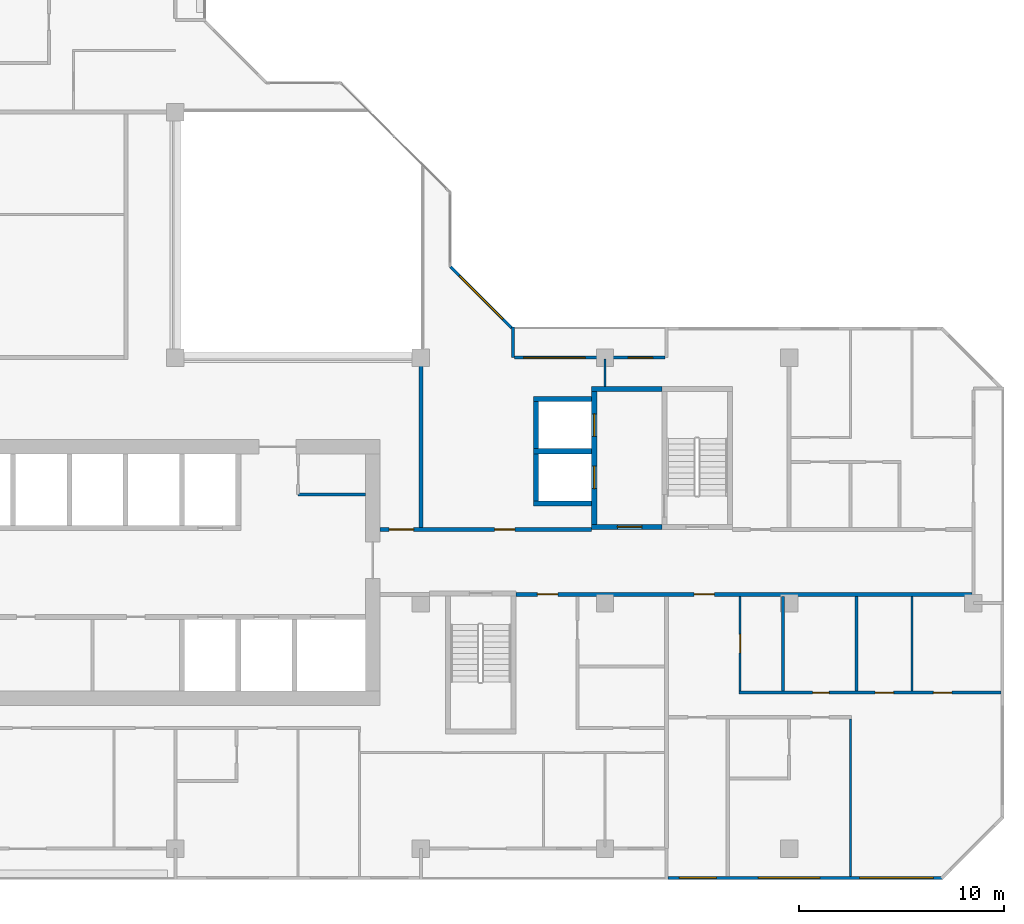
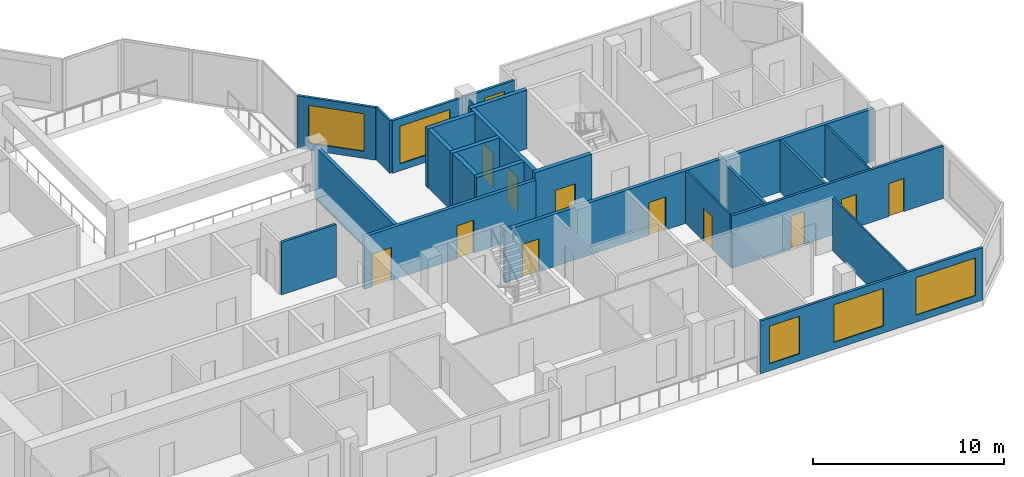
# One storey, part 7 of 15: 23 walls, 11 doors, 6 windows, 17 openings.
"""IFC4 building model written with IfcOpenShell, lengths in metres."""

from ifc_helpers import new_model, si_unit, direction, frame, frame_2d, origin, place, context, subcontext, project, spatial, rectangle, extrude, material, layer, layer_set, type_object, element, fill, save


model = new_model("IFC4")

# Units and contexts
model_context = context("Model", 3, precision=1e-05, world=origin(), true_north=direction((0.0, 1.0)))
body_context = subcontext(model_context, "Body", "Model", "MODEL_VIEW")
ifc_project = project(units=[si_unit("LENGTHUNIT", "METRE"), si_unit("AREAUNIT", "SQUARE_METRE"), si_unit("VOLUMEUNIT", "CUBIC_METRE"), si_unit("PLANEANGLEUNIT", "RADIAN"), si_unit("MASSUNIT", "GRAM", prefix="KILO")], contexts=[model_context])

# Site, building, storey
site_placement = place(None, origin())
site = spatial("IfcSite", under=ifc_project, at=site_placement, CompositionType="ELEMENT")
building_placement = place(site_placement, origin())
building = spatial("IfcBuilding", under=site, at=building_placement, Name="Chenar Terraces", CompositionType="ELEMENT")
storey_placement = place(building_placement, frame((0.0, 0.0, 249.14990234375)))
storey = spatial("IfcBuildingStorey", under=building, at=storey_placement, Name="L59", CompositionType="ELEMENT", Elevation=249.14990234375)

# Wall
ifc_material_1 = material(Name="Gypsum board on steel studs", Category="steel")
ifc_layer_1 = layer(ifc_material_1, 0.14990234375)
ifc_layer_set_1 = layer_set([ifc_layer_1], Name="Gypsum board on steel studs")
wall_type_1 = type_object("IfcWallType", Name="Core partition 150 gypsum board", PredefinedType="PARTITIONING", material=ifc_layer_set_1)
wall_1_placement = place(storey_placement, frame((30.0, 17.300048828125, 0.0), z_axis=(0.0, 0.0, 1.0), x_axis=(1.0, 0.0, 0.0)))
element("IfcWall", 1, at=wall_1_placement, inside=storey, type_object=wall_type_1, Name="Core partition CP1 vestibule room south wall", PredefinedType="PARTITIONING", context=body_context, shape_type="SweptSolid", body=[
    extrude(rectangle(XDim=3.300048828125, YDim=0.14990234375, at=frame_2d((1.64990234375, 0.0))), origin(), (0.0, 0.0, 1.0), 3.35009765625),
])

# Wall, opening, door
ifc_material_2 = material(Name="Concrete C60/75", Category="concrete")
ifc_layer_2 = layer(ifc_material_2, 0.25)
ifc_layer_set_2 = layer_set([ifc_layer_2], Name="Concrete C60/75")
wall_type_2 = type_object("IfcWallType", Name="Core wall 250 Concrete C60/75", PredefinedType="SHEAR", material=ifc_layer_set_2)
wall_2_placement = place(storey_placement, frame((44.35009765625, 15.72509765625, 0.0), z_axis=(0.0, 0.0, 1.0), x_axis=(1.0, 0.0, 0.0)))
wall_2 = element("IfcWall", 2, at=wall_2_placement, inside=storey, type_object=wall_type_2, Name="Core wall F3_LS L59", PredefinedType="SHEAR", context=body_context, shape_type="SweptSolid", body=[
    extrude(rectangle(XDim=3.4248046875, YDim=0.25, at=frame_2d((1.71240234375, 0.0))), origin(), (0.0, 0.0, 1.0), 3.75),
])
opening_1_placement = place(wall_2_placement, frame((1.25, 0.0, 0.0)))
opening_1 = element("IfcOpeningElement", 3, at=opening_1_placement, cuts=wall_2, Name="Opening DL59-C10", PredefinedType="OPENING", context=body_context, shape_type="SweptSolid", body=[
    extrude(rectangle(XDim=1.199951171875, YDim=2.199951171875, at=frame_2d((0.60009765625, 1.10009765625))), frame((0.0, 0.135009765625, 0.0), z_axis=(0.0, -1.0, 0.0), x_axis=(1.0, 0.0, 0.0)), (0.0, 0.0, 1.0), 0.27001953125),
])
ifc_material_3 = material(Name="Steel-framed fire-resisting door leaf", Category="steel")
door_type_1 = type_object("IfcDoorType", Name="Lobby fire door FD60 1200 x 2200", OperationType="SINGLE_SWING_LEFT", PredefinedType="DOOR", material=ifc_material_3)
door_1_placement = place(opening_1_placement, origin())
door_1 = element("IfcDoor", 4, at=door_1_placement, inside=storey, type_object=door_type_1, Name="Core door DL59-C10", OperationType="SINGLE_SWING_RIGHT", OverallHeight=2.199951171875, OverallWidth=1.199951171875, PredefinedType="DOOR", context=body_context, shape_type="SweptSolid", body=[
    extrude(rectangle(XDim=1.199951171875, YDim=2.199951171875, at=frame_2d((0.60009765625, 1.10009765625))), frame((0.0, 0.02490234375, 0.0), z_axis=(0.0, -1.0, 0.0), x_axis=(1.0, 0.0, 0.0)), (0.0, 0.0, 1.0), 0.050048828125),
])
fill(opening_1, door_1)

# Wall
wall_3_placement = place(storey_placement, frame((44.35009765625, 22.47509765625, 0.0), z_axis=(0.0, 0.0, 1.0), x_axis=(1.0, 0.0, 0.0)))
element("IfcWall", 5, at=wall_3_placement, inside=storey, type_object=wall_type_2, Name="Core wall F3_LN L59", PredefinedType="SHEAR", context=body_context, shape_type="SweptSolid", body=[
    extrude(rectangle(XDim=3.4248046875, YDim=0.25, at=frame_2d((1.71240234375, 0.0))), origin(), (0.0, 0.0, 1.0), 3.75),
])

# Wall, openings, doors
wall_4_placement = place(storey_placement, frame((44.47509765625, 15.85009765625, 0.0), z_axis=(0.0, 0.0, 1.0), x_axis=(0.0, 1.0, 0.0)))
wall_4 = element("IfcWall", 6, at=wall_4_placement, inside=storey, type_object=wall_type_2, Name="Core wall F3_LW L59", PredefinedType="SHEAR", context=body_context, shape_type="SweptSolid", body=[
    extrude(rectangle(XDim=6.5, YDim=0.25, at=frame_2d((3.25, 0.0))), origin(), (0.0, 0.0, 1.0), 3.75),
])
opening_2_placement = place(wall_4_placement, frame((1.75, 0.0, 0.0)))
opening_2 = element("IfcOpeningElement", 7, at=opening_2_placement, cuts=wall_4, Name="Opening DL59-LD8", PredefinedType="OPENING", context=body_context, shape_type="SweptSolid", body=[
    extrude(rectangle(XDim=1.10009765625, YDim=2.199951171875, at=frame_2d((0.550048828125, 1.10009765625))), frame((0.0, 0.135009765625, 0.0), z_axis=(0.0, -1.0, 0.0), x_axis=(1.0, 0.0, 0.0)), (0.0, 0.0, 1.0), 0.27001953125),
])
opening_3_placement = place(wall_4_placement, frame((4.300048828125, 0.0, 0.0)))
opening_3 = element("IfcOpeningElement", 8, at=opening_3_placement, cuts=wall_4, Name="Opening DL59-LD9", PredefinedType="OPENING", context=body_context, shape_type="SweptSolid", body=[
    extrude(rectangle(XDim=1.10009765625, YDim=2.199951171875, at=frame_2d((0.550048828125, 1.10009765625))), frame((0.0, 0.135009765625, 0.0), z_axis=(0.0, -1.0, 0.0), x_axis=(1.0, 0.0, 0.0)), (0.0, 0.0, 1.0), 0.27001953125),
])
ifc_material_4 = material(Name="Stainless steel", Category="steel")
door_type_2 = type_object("IfcDoorType", Name="Lift landing door 1100 x 2200 sliding", OperationType="DOUBLE_DOOR_SLIDING", PredefinedType="DOOR", material=ifc_material_4)
door_2_placement = place(opening_2_placement, origin())
door_2 = element("IfcDoor", 9, at=door_2_placement, inside=storey, type_object=door_type_2, Name="Landing door F3", OperationType="DOUBLE_DOOR_SLIDING", OverallHeight=2.199951171875, OverallWidth=1.10009765625, PredefinedType="DOOR", context=body_context, shape_type="SweptSolid", body=[
    extrude(rectangle(XDim=1.10009765625, YDim=2.199951171875, at=frame_2d((0.550048828125, 1.10009765625))), frame((0.0, 0.02490234375, 0.0), z_axis=(0.0, -1.0, 0.0), x_axis=(1.0, 0.0, 0.0)), (0.0, 0.0, 1.0), 0.050048828125),
])
fill(opening_2, door_2)
door_3_placement = place(opening_3_placement, origin())
door_3 = element("IfcDoor", 10, at=door_3_placement, inside=storey, type_object=door_type_2, Name="Landing door F4", OperationType="DOUBLE_DOOR_SLIDING", OverallHeight=2.199951171875, OverallWidth=1.10009765625, PredefinedType="DOOR", context=body_context, shape_type="SweptSolid", body=[
    extrude(rectangle(XDim=1.10009765625, YDim=2.199951171875, at=frame_2d((0.550048828125, 1.10009765625))), frame((0.0, 0.02490234375, 0.0), z_axis=(0.0, -1.0, 0.0), x_axis=(1.0, 0.0, 0.0)), (0.0, 0.0, 1.0), 0.050048828125),
])
fill(opening_3, door_3)

# Walls
for number, where, z_axis, x_axis, name in (
    (11, (41.5, 16.875, 0.0), (0.0, 0.0, 1.0), (1.0, 0.0, 0.0), "Core wall F3_SS L59"),
    (12, (41.5, 19.425048828125, 0.0), (0.0, 0.0, 1.0), (1.0, 0.0, 0.0), "Core wall F3_SM L59"),
    (13, (41.5, 21.97509765625, 0.0), (0.0, 0.0, 1.0), (1.0, 0.0, 0.0), "Core wall F4_SN L59"),
):
    element("IfcWall", number, at=place(storey_placement, frame(where, z_axis=z_axis, x_axis=x_axis)), inside=storey, type_object=wall_type_2, Name=name, PredefinedType="SHEAR", context=body_context, shape_type="SweptSolid", body=[
        extrude(rectangle(XDim=2.85009765625, YDim=0.25, at=frame_2d((1.425048828125, 0.0))), origin(), (0.0, 0.0, 1.0), 3.75),
    ])
for number, where, z_axis, x_axis, name in (
    (14, (41.625, 17.0, 0.0), (0.0, 0.0, 1.0), (0.0, 1.0, 0.0), "Core wall F3_SW L59"),
    (15, (41.625, 19.550048828125, 0.0), (0.0, 0.0, 1.0), (0.0, 1.0, 0.0), "Core wall F4_SW L59"),
):
    element("IfcWall", number, at=place(storey_placement, frame(where, z_axis=z_axis, x_axis=x_axis)), inside=storey, type_object=wall_type_2, Name=name, PredefinedType="SHEAR", context=body_context, shape_type="SweptSolid", body=[
        extrude(rectangle(XDim=2.300048828125, YDim=0.25, at=frame_2d((1.14990234375, 0.0))), origin(), (0.0, 0.0, 1.0), 3.75),
    ])

# Wall, openings, doors
ifc_material_5 = material(Name="Gypsum board on steel studs with fire boards", Category="steel")
ifc_layer_3 = layer(ifc_material_5, 0.199951171875)
ifc_layer_set_3 = layer_set([ifc_layer_3], Name="Gypsum board on steel studs with fire boards")
wall_type_3 = type_object("IfcWallType", Name="Corridor wall 200", PredefinedType="PARTITIONING", material=ifc_layer_set_3)
wall_5_placement = place(storey_placement, frame((34.0, 15.60009765625, 0.0), z_axis=(0.0, 0.0, 1.0), x_axis=(1.0, 0.0, 0.0)))
wall_5 = element("IfcWall", 16, at=wall_5_placement, inside=storey, type_object=wall_type_3, Name="Partition L59-065", PredefinedType="PARTITIONING", context=body_context, shape_type="SweptSolid", body=[
    extrude(rectangle(XDim=10.35009765625, YDim=0.199951171875, at=frame_2d((5.175048828125, 0.0))), origin(), (0.0, 0.0, 1.0), 3.35009765625),
])
opening_4_placement = place(wall_5_placement, frame((5.60009765625, 0.0, 0.0)))
opening_4 = element("IfcOpeningElement", 17, at=opening_4_placement, cuts=wall_5, Name="Opening DL59-3", PredefinedType="OPENING", context=body_context, shape_type="SweptSolid", body=[
    extrude(rectangle(XDim=1.0, YDim=2.10009765625, at=frame_2d((0.5, 1.050048828125))), frame((0.0, 0.10986328125, 0.0), z_axis=(0.0, -1.0, 0.0), x_axis=(1.0, 0.0, 0.0)), (0.0, 0.0, 1.0), 0.219970703125),
])
opening_5_placement = place(wall_5_placement, frame((0.449951171875, 0.0, 0.0)))
opening_5 = element("IfcOpeningElement", 18, at=opening_5_placement, cuts=wall_5, Name="Opening DL59-41", PredefinedType="OPENING", context=body_context, shape_type="SweptSolid", body=[
    extrude(rectangle(XDim=1.199951171875, YDim=2.10009765625, at=frame_2d((0.60009765625, 1.050048828125))), frame((0.0, 0.10986328125, 0.0), z_axis=(0.0, -1.0, 0.0), x_axis=(1.0, 0.0, 0.0)), (0.0, 0.0, 1.0), 0.219970703125),
])
ifc_material_6 = material(Name="Steel-framed fire-resisting door leaf", Category="steel")
door_type_3 = type_object("IfcDoorType", Name="Fire door FD60 1000 x 2100", OperationType="SINGLE_SWING_LEFT", PredefinedType="DOOR", material=ifc_material_6)
door_4_placement = place(opening_4_placement, origin())
door_4 = element("IfcDoor", 19, at=door_4_placement, inside=storey, type_object=door_type_3, Name="Door DL59-3", OperationType="SINGLE_SWING_RIGHT", OverallHeight=2.10009765625, OverallWidth=1.0, PredefinedType="DOOR", context=body_context, shape_type="SweptSolid", body=[
    extrude(rectangle(XDim=1.0, YDim=2.10009765625, at=frame_2d((0.5, 1.050048828125))), frame((0.0, 0.02490234375, 0.0), z_axis=(0.0, -1.0, 0.0), x_axis=(1.0, 0.0, 0.0)), (0.0, 0.0, 1.0), 0.050048828125),
])
fill(opening_4, door_4)
ifc_material_7 = material(Name="Steel-framed fire-resisting door leaf", Category="steel")
door_type_4 = type_object("IfcDoorType", Name="Fire door FD60 1200 x 2100", OperationType="SINGLE_SWING_LEFT", PredefinedType="DOOR", material=ifc_material_7)
door_5_placement = place(opening_5_placement, origin())
door_5 = element("IfcDoor", 20, at=door_5_placement, inside=storey, type_object=door_type_4, Name="Door DL59-41", OperationType="SINGLE_SWING_RIGHT", OverallHeight=2.10009765625, OverallWidth=1.199951171875, PredefinedType="DOOR", context=body_context, shape_type="SweptSolid", body=[
    extrude(rectangle(XDim=1.199951171875, YDim=2.10009765625, at=frame_2d((0.60009765625, 1.050048828125))), frame((0.0, 0.02490234375, 0.0), z_axis=(0.0, -1.0, 0.0), x_axis=(1.0, 0.0, 0.0)), (0.0, 0.0, 1.0), 0.050048828125),
])
fill(opening_5, door_5)

# Wall
wall_6_placement = place(storey_placement, frame((36.0, 15.699951171875, 0.0), z_axis=(0.0, 0.0, 1.0), x_axis=(0.0, 1.0, 0.0)))
element("IfcWall", 21, at=wall_6_placement, inside=storey, type_object=wall_type_3, Name="Partition L59-066", PredefinedType="PARTITIONING", context=body_context, shape_type="SweptSolid", body=[
    extrude(rectangle(XDim=8.300048828125, YDim=0.199951171875, at=frame_2d((4.14990234375, 0.0))), origin(), (0.0, 0.0, 1.0), 3.35009765625),
])

# Wall, openings, doors
wall_7_placement = place(storey_placement, frame((40.64990234375, 12.425048828125, 0.0), z_axis=(0.0, 0.0, 1.0), x_axis=(1.0, 0.0, 0.0)))
wall_7 = element("IfcWall", 22, at=wall_7_placement, inside=storey, type_object=wall_type_3, Name="Partition L59-067", PredefinedType="PARTITIONING", context=body_context, shape_type="SweptSolid", body=[
    extrude(rectangle(XDim=22.276123046875, YDim=0.199951171875, at=frame_2d((11.13818359375, 0.0))), origin(), (0.0, 0.0, 1.0), 3.35009765625),
])
opening_6_placement = place(wall_7_placement, frame((8.699951171875, 0.0, 0.0)))
opening_6 = element("IfcOpeningElement", 23, at=opening_6_placement, cuts=wall_7, Name="Opening DL59-14", PredefinedType="OPENING", context=body_context, shape_type="SweptSolid", body=[
    extrude(rectangle(XDim=1.0, YDim=2.10009765625, at=frame_2d((0.5, 1.050048828125))), frame((0.0, 0.10986328125, 0.0), z_axis=(0.0, -1.0, 0.0), x_axis=(1.0, 0.0, 0.0)), (0.0, 0.0, 1.0), 0.219970703125),
])
opening_7_placement = place(wall_7_placement, frame((1.050048828125, 0.0, 0.0)))
opening_7 = element("IfcOpeningElement", 24, at=opening_7_placement, cuts=wall_7, Name="Opening DL59-56", PredefinedType="OPENING", context=body_context, shape_type="SweptSolid", body=[
    extrude(rectangle(XDim=1.0, YDim=2.10009765625, at=frame_2d((0.5, 1.050048828125))), frame((0.0, 0.10986328125, 0.0), z_axis=(0.0, -1.0, 0.0), x_axis=(1.0, 0.0, 0.0)), (0.0, 0.0, 1.0), 0.219970703125),
])
ifc_material_8 = material(Name="Steel-framed fire-resisting door leaf", Category="steel")
door_type_5 = type_object("IfcDoorType", Name="Fire door FD30S 1000 x 2100", OperationType="SINGLE_SWING_LEFT", PredefinedType="DOOR", material=ifc_material_8)
door_6_placement = place(opening_6_placement, frame((1.0, 0.0, 0.0), z_axis=(0.0, 0.0, 1.0), x_axis=(-1.0, 0.0, 0.0)))
door_6 = element("IfcDoor", 25, at=door_6_placement, inside=storey, type_object=door_type_5, Name="Door DL59-14", OperationType="SINGLE_SWING_RIGHT", OverallHeight=2.10009765625, OverallWidth=1.0, PredefinedType="DOOR", context=body_context, shape_type="SweptSolid", body=[
    extrude(rectangle(XDim=1.0, YDim=2.10009765625, at=frame_2d((0.5, 1.050048828125))), frame((0.0, 0.02490234375, 0.0), z_axis=(0.0, -1.0, 0.0), x_axis=(1.0, 0.0, 0.0)), (0.0, 0.0, 1.0), 0.050048828125),
])
fill(opening_6, door_6)
door_7_placement = place(opening_7_placement, origin())
door_7 = element("IfcDoor", 26, at=door_7_placement, inside=storey, type_object=door_type_5, Name="Door DL59-56", OperationType="SINGLE_SWING_LEFT", OverallHeight=2.10009765625, OverallWidth=1.0, PredefinedType="DOOR", context=body_context, shape_type="SweptSolid", body=[
    extrude(rectangle(XDim=1.0, YDim=2.10009765625, at=frame_2d((0.5, 1.050048828125))), frame((0.0, 0.02490234375, 0.0), z_axis=(0.0, -1.0, 0.0), x_axis=(1.0, 0.0, 0.0)), (0.0, 0.0, 1.0), 0.050048828125),
])
fill(opening_7, door_7)

# Wall, openings, windows
ifc_material_9 = material(Name="Aluminium framed glazing", Category="aluminium")
ifc_layer_4 = layer(ifc_material_9, 0.14990234375)
ifc_layer_set_4 = layer_set([ifc_layer_4], Name="Aluminium framed glazing")
wall_type_4 = type_object("IfcWallType", Name="Glazed flush facade wall 150", PredefinedType="SOLIDWALL", material=ifc_layer_set_4)
wall_8_placement = place(storey_placement, frame((48.074951171875, -1.425048828125, 0.0), z_axis=(0.0, 0.0, 1.0), x_axis=(1.0, 0.0, 0.0)))
wall_8 = element("IfcWall", 27, at=wall_8_placement, inside=storey, type_object=wall_type_4, Name="Glazed flush facade wall", PredefinedType="SOLIDWALL", context=body_context, shape_type="SweptSolid", body=[
    extrude(rectangle(XDim=13.425048828125, YDim=0.14990234375, at=frame_2d((6.71240234375, 0.0))), origin(), (0.0, 0.0, 1.0), 3.35009765625),
])
opening_8_placement = place(wall_8_placement, frame((0.5625, 0.0, 0.449951171875)))
opening_8 = element("IfcOpeningElement", 28, at=opening_8_placement, cuts=wall_8, Name="Opening W180x240", PredefinedType="OPENING", context=body_context, shape_type="SweptSolid", body=[
    extrude(rectangle(XDim=1.800048828125, YDim=2.39990234375, at=frame_2d((0.89990234375, 1.199951171875))), frame((0.0, 0.0849609375, 0.0), z_axis=(0.0, -1.0, 0.0), x_axis=(1.0, 0.0, 0.0)), (0.0, 0.0, 1.0), 0.169921875),
])
opening_9_placement = place(wall_8_placement, frame((4.425048828125, 0.0, 0.449951171875)))
opening_9 = element("IfcOpeningElement", 29, at=opening_9_placement, cuts=wall_8, Name="Opening W300x240", PredefinedType="OPENING", context=body_context, shape_type="SweptSolid", body=[
    extrude(rectangle(XDim=3.0, YDim=2.39990234375, at=frame_2d((1.5, 1.199951171875))), frame((0.0, 0.0849609375, 0.0), z_axis=(0.0, -1.0, 0.0), x_axis=(1.0, 0.0, 0.0)), (0.0, 0.0, 1.0), 0.169921875),
])
opening_10_placement = place(wall_8_placement, frame((9.375, 0.0, 0.449951171875)))
opening_10 = element("IfcOpeningElement", 30, at=opening_10_placement, cuts=wall_8, Name="Opening W360x240", PredefinedType="OPENING", context=body_context, shape_type="SweptSolid", body=[
    extrude(rectangle(XDim=3.60009765625, YDim=2.39990234375, at=frame_2d((1.800048828125, 1.199951171875))), frame((0.0, 0.0849609375, 0.0), z_axis=(0.0, -1.0, 0.0), x_axis=(1.0, 0.0, 0.0)), (0.0, 0.0, 1.0), 0.169921875),
])
ifc_material_10 = material(Name="Low emissivity double glazing, aluminium frame", Category="aluminium")
window_type_1 = type_object("IfcWindowType", Name="Fixed light 1800 x 2400", PartitioningType="SINGLE_PANEL", PredefinedType="WINDOW", material=ifc_material_10)
window_1_placement = place(opening_8_placement, origin())
window_1 = element("IfcWindow", 31, at=window_1_placement, inside=storey, type_object=window_type_1, Name="Window", OverallHeight=2.39990234375, OverallWidth=1.800048828125, PartitioningType="SINGLE_PANEL", PredefinedType="WINDOW", context=body_context, shape_type="SweptSolid", body=[
    extrude(rectangle(XDim=1.800048828125, YDim=2.39990234375, at=frame_2d((0.89990234375, 1.199951171875))), frame((0.0, 0.030029296875, 0.0), z_axis=(0.0, -1.0, 0.0), x_axis=(1.0, 0.0, 0.0)), (0.0, 0.0, 1.0), 0.06005859375),
])
fill(opening_8, window_1)
ifc_material_11 = material(Name="Low emissivity double glazing, aluminium frame", Category="aluminium")
window_type_2 = type_object("IfcWindowType", Name="Fixed light 3000 x 2400", PartitioningType="SINGLE_PANEL", PredefinedType="WINDOW", material=ifc_material_11)
window_2_placement = place(opening_9_placement, origin())
window_2 = element("IfcWindow", 32, at=window_2_placement, inside=storey, type_object=window_type_2, Name="Window", OverallHeight=2.39990234375, OverallWidth=3.0, PartitioningType="SINGLE_PANEL", PredefinedType="WINDOW", context=body_context, shape_type="SweptSolid", body=[
    extrude(rectangle(XDim=3.0, YDim=2.39990234375, at=frame_2d((1.5, 1.199951171875))), frame((0.0, 0.030029296875, 0.0), z_axis=(0.0, -1.0, 0.0), x_axis=(1.0, 0.0, 0.0)), (0.0, 0.0, 1.0), 0.06005859375),
])
fill(opening_9, window_2)
ifc_material_12 = material(Name="Low emissivity double glazing, aluminium frame", Category="aluminium")
window_type_3 = type_object("IfcWindowType", Name="Fixed light 3600 x 2400", PartitioningType="SINGLE_PANEL", PredefinedType="WINDOW", material=ifc_material_12)
window_3_placement = place(opening_10_placement, origin())
window_3 = element("IfcWindow", 33, at=window_3_placement, inside=storey, type_object=window_type_3, Name="Window", OverallHeight=2.39990234375, OverallWidth=3.60009765625, PartitioningType="SINGLE_PANEL", PredefinedType="WINDOW", context=body_context, shape_type="SweptSolid", body=[
    extrude(rectangle(XDim=3.60009765625, YDim=2.39990234375, at=frame_2d((1.800048828125, 1.199951171875))), frame((0.0, 0.030029296875, 0.0), z_axis=(0.0, -1.0, 0.0), x_axis=(1.0, 0.0, 0.0)), (0.0, 0.0, 1.0), 0.06005859375),
])
fill(opening_10, window_3)

ifc_material_13 = material(Name="Aluminium framed glazing", Category="aluminium")
ifc_layer_5 = layer(ifc_material_13, 0.14990234375)
ifc_layer_set_5 = layer_set([ifc_layer_5], Name="Aluminium framed glazing")
wall_type_5 = type_object("IfcWallType", Name="Glazed loggia back wall 150", PredefinedType="SOLIDWALL", material=ifc_layer_set_5)
wall_9_placement = place(storey_placement, frame((47.925048828125, 24.0, 0.0), z_axis=(0.0, 0.0, 1.0), x_axis=(-1.0, 0.0, 0.0)))
wall_9 = element("IfcWall", 34, at=wall_9_placement, inside=storey, type_object=wall_type_5, Name="Glazed loggia back wall", PredefinedType="SOLIDWALL", context=body_context, shape_type="SweptSolid", body=[
    extrude(rectangle(XDim=7.35009765625, YDim=0.14990234375, at=frame_2d((3.675048828125, 0.0))), origin(), (0.0, 0.0, 1.0), 3.35009765625),
])
opening_11_placement = place(wall_9_placement, frame((0.60009765625, 0.0, 0.449951171875)))
opening_11 = element("IfcOpeningElement", 35, at=opening_11_placement, cuts=wall_9, Name="Opening W120x240", PredefinedType="OPENING", context=body_context, shape_type="SweptSolid", body=[
    extrude(rectangle(XDim=1.199951171875, YDim=2.39990234375, at=frame_2d((0.60009765625, 1.199951171875))), frame((0.0, 0.0849609375, 0.0), z_axis=(0.0, -1.0, 0.0), x_axis=(1.0, 0.0, 0.0)), (0.0, 0.0, 1.0), 0.169921875),
])
opening_12_placement = place(wall_9_placement, frame((3.89990234375, 0.0, 0.449951171875)))
opening_12 = element("IfcOpeningElement", 36, at=opening_12_placement, cuts=wall_9, Name="Opening W300x240", PredefinedType="OPENING", context=body_context, shape_type="SweptSolid", body=[
    extrude(rectangle(XDim=3.0, YDim=2.39990234375, at=frame_2d((1.5, 1.199951171875))), frame((0.0, 0.0849609375, 0.0), z_axis=(0.0, -1.0, 0.0), x_axis=(1.0, 0.0, 0.0)), (0.0, 0.0, 1.0), 0.169921875),
])
ifc_material_14 = material(Name="Low emissivity double glazing, aluminium frame", Category="aluminium")
window_type_4 = type_object("IfcWindowType", Name="Fixed light 1200 x 2400", PartitioningType="SINGLE_PANEL", PredefinedType="WINDOW", material=ifc_material_14)
window_4_placement = place(opening_11_placement, origin())
window_4 = element("IfcWindow", 37, at=window_4_placement, inside=storey, type_object=window_type_4, Name="Window", OverallHeight=2.39990234375, OverallWidth=1.199951171875, PartitioningType="SINGLE_PANEL", PredefinedType="WINDOW", context=body_context, shape_type="SweptSolid", body=[
    extrude(rectangle(XDim=1.199951171875, YDim=2.39990234375, at=frame_2d((0.60009765625, 1.199951171875))), frame((0.0, 0.030029296875, 0.0), z_axis=(0.0, -1.0, 0.0), x_axis=(1.0, 0.0, 0.0)), (0.0, 0.0, 1.0), 0.06005859375),
])
fill(opening_11, window_4)
window_5_placement = place(opening_12_placement, origin())
window_5 = element("IfcWindow", 38, at=window_5_placement, inside=storey, type_object=window_type_2, Name="Window", OverallHeight=2.39990234375, OverallWidth=3.0, PartitioningType="SINGLE_PANEL", PredefinedType="WINDOW", context=body_context, shape_type="SweptSolid", body=[
    extrude(rectangle(XDim=3.0, YDim=2.39990234375, at=frame_2d((1.5, 1.199951171875))), frame((0.0, 0.030029296875, 0.0), z_axis=(0.0, -1.0, 0.0), x_axis=(1.0, 0.0, 0.0)), (0.0, 0.0, 1.0), 0.06005859375),
])
fill(opening_12, window_5)

# Wall
ifc_material_15 = material(Name="Gypsum board on steel studs", Category="steel")
ifc_layer_6 = layer(ifc_material_15, 0.10009765625)
ifc_layer_set_6 = layer_set([ifc_layer_6], Name="Gypsum board on steel studs")
wall_type_6 = type_object("IfcWallType", Name="Gypsum partition 100", PredefinedType="PARTITIONING", material=ifc_layer_set_6)
wall_10_placement = place(storey_placement, frame((45.0, 22.60009765625, 0.0), z_axis=(0.0, 0.0, 1.0), x_axis=(0.0, 1.0, 0.0)))
element("IfcWall", 39, at=wall_10_placement, inside=storey, type_object=wall_type_6, Name="Partition L59-073", PredefinedType="PARTITIONING", context=body_context, shape_type="SweptSolid", body=[
    extrude(rectangle(XDim=1.325927734375, YDim=0.10009765625, at=frame_2d((0.6630859375, 0.0))), origin(), (0.0, 0.0, 1.0), 3.35009765625),
])

# Wall, opening, door
wall_11_placement = place(storey_placement, frame((51.60009765625, 7.699951171875, 0.0), z_axis=(0.0, 0.0, 1.0), x_axis=(0.0, 1.0, 0.0)))
wall_11 = element("IfcWall", 40, at=wall_11_placement, inside=storey, type_object=wall_type_6, Name="Partition L59-080", PredefinedType="PARTITIONING", context=body_context, shape_type="SweptSolid", body=[
    extrude(rectangle(XDim=4.625, YDim=0.10009765625, at=frame_2d((2.3125, 0.0))), origin(), (0.0, 0.0, 1.0), 3.35009765625),
])
opening_13_placement = place(wall_11_placement, frame((1.875, 0.0, 0.0)))
opening_13 = element("IfcOpeningElement", 41, at=opening_13_placement, cuts=wall_11, Name="Opening DL59-13", PredefinedType="OPENING", context=body_context, shape_type="SweptSolid", body=[
    extrude(rectangle(XDim=0.89990234375, YDim=2.10009765625, at=frame_2d((0.449951171875, 1.050048828125))), frame((0.0, 0.06005859375, 0.0), z_axis=(0.0, -1.0, 0.0), x_axis=(1.0, 0.0, 0.0)), (0.0, 0.0, 1.0), 0.1201171875),
])
ifc_material_16 = material(Name="Veneered timber door leaf", Category="wood")
door_type_6 = type_object("IfcDoorType", Name="Door 900 x 2100", OperationType="SINGLE_SWING_LEFT", PredefinedType="DOOR", material=ifc_material_16)
door_8_placement = place(opening_13_placement, frame((0.89990234375, 0.0, 0.0), z_axis=(0.0, 0.0, 1.0), x_axis=(-1.0, 0.0, 0.0)))
door_8 = element("IfcDoor", 42, at=door_8_placement, inside=storey, type_object=door_type_6, Name="Door DL59-13", OperationType="SINGLE_SWING_RIGHT", OverallHeight=2.10009765625, OverallWidth=0.89990234375, PredefinedType="DOOR", context=body_context, shape_type="SweptSolid", body=[
    extrude(rectangle(XDim=0.89990234375, YDim=2.10009765625, at=frame_2d((0.449951171875, 1.050048828125))), frame((0.0, 0.02490234375, 0.0), z_axis=(0.0, -1.0, 0.0), x_axis=(1.0, 0.0, 0.0)), (0.0, 0.0, 1.0), 0.050048828125),
])
fill(opening_13, door_8)

# Walls
wall_12_placement = place(storey_placement, frame((57.0, -1.35009765625, 0.0), z_axis=(0.0, 0.0, 1.0), x_axis=(0.0, 1.0, 0.0)))
element("IfcWall", 43, at=wall_12_placement, inside=storey, type_object=wall_type_6, Name="Partition L59-086", PredefinedType="PARTITIONING", context=body_context, shape_type="SweptSolid", body=[
    extrude(rectangle(XDim=7.7001953125, YDim=0.10009765625, at=frame_2d((3.85009765625, 0.0))), origin(), (0.0, 0.0, 1.0), 3.35009765625),
])
wall_13_placement = place(storey_placement, frame((60.0, 7.699951171875, 0.0), z_axis=(0.0, 0.0, 1.0), x_axis=(0.0, 1.0, 0.0)))
element("IfcWall", 44, at=wall_13_placement, inside=storey, type_object=wall_type_6, Name="Partition L59-091", PredefinedType="PARTITIONING", context=body_context, shape_type="SweptSolid", body=[
    extrude(rectangle(XDim=4.625, YDim=0.10009765625, at=frame_2d((2.3125, 0.0))), origin(), (0.0, 0.0, 1.0), 3.35009765625),
])
ifc_material_17 = material(Name="Terracotta cladding on insulated backing", Category="masonry")
ifc_layer_7 = layer(ifc_material_17, 0.14990234375)
ifc_layer_set_7 = layer_set([ifc_layer_7], Name="Terracotta cladding on insulated backing")
wall_type_7 = type_object("IfcWallType", Name="Loggia return wall 150", PredefinedType="SOLIDWALL", material=ifc_layer_set_7)
wall_14_placement = place(storey_placement, frame((40.5, 25.5, 0.0), z_axis=(0.0, 0.0, 1.0), x_axis=(0.0, -1.0, 0.0)))
element("IfcWall", 45, at=wall_14_placement, inside=storey, type_object=wall_type_7, Name="Loggia return wall", PredefinedType="SOLIDWALL", context=body_context, shape_type="SweptSolid", body=[
    extrude(rectangle(XDim=1.5, YDim=0.14990234375, at=frame_2d((0.75, 0.0))), origin(), (0.0, 0.0, 1.0), 3.35009765625),
])

# Wall, opening, window
ifc_material_18 = material(Name="Terracotta cladding on insulated backing", Category="masonry")
ifc_layer_8 = layer(ifc_material_18, 0.14990234375)
ifc_layer_set_8 = layer_set([ifc_layer_8], Name="Terracotta cladding on insulated backing")
wall_type_8 = type_object("IfcWallType", Name="Terracotta rainscreen wall 150", PredefinedType="SOLIDWALL", material=ifc_layer_set_8)
wall_15_placement = place(storey_placement, frame((40.447021484375, 25.447021484375, 0.0), z_axis=(0.0, 0.0, 1.0), x_axis=(-0.707106781187, 0.707106781187, 0.0)))
wall_15 = element("IfcWall", 46, at=wall_15_placement, inside=storey, type_object=wall_type_8, Name="Terracotta rainscreen wall", PredefinedType="SOLIDWALL", context=body_context, shape_type="SweptSolid", body=[
    extrude(rectangle(XDim=4.24267578125, YDim=0.14990234375, at=frame_2d((2.121337890625, 0.0))), origin(), (0.0, 0.0, 1.0), 3.35009765625),
])
opening_14_placement = place(wall_15_placement, frame((0.621337890625, 0.0, 0.449951171875)))
opening_14 = element("IfcOpeningElement", 47, at=opening_14_placement, cuts=wall_15, Name="Opening W300x240", PredefinedType="OPENING", context=body_context, shape_type="SweptSolid", body=[
    extrude(rectangle(XDim=3.0, YDim=2.39990234375, at=frame_2d((1.5, 1.199951171875))), frame((0.0, 0.0849609375, 0.0), z_axis=(0.0, -1.0, 0.0), x_axis=(1.0, 0.0, 0.0)), (0.0, 0.0, 1.0), 0.169921875),
])
window_6_placement = place(opening_14_placement, origin())
window_6 = element("IfcWindow", 48, at=window_6_placement, inside=storey, type_object=window_type_2, Name="Window", OverallHeight=2.39990234375, OverallWidth=3.0, PartitioningType="SINGLE_PANEL", PredefinedType="WINDOW", context=body_context, shape_type="SweptSolid", body=[
    extrude(rectangle(XDim=3.0, YDim=2.39990234375, at=frame_2d((1.5, 1.199951171875))), frame((0.0, 0.030029296875, 0.0), z_axis=(0.0, -1.0, 0.0), x_axis=(1.0, 0.0, 0.0)), (0.0, 0.0, 1.0), 0.06005859375),
])
fill(opening_14, window_6)

# Wall, openings, doors
ifc_material_19 = material(Name="Moisture-resistant gypsum board on steel studs", Category="steel")
ifc_layer_9 = layer(ifc_material_19, 0.14990234375)
ifc_layer_set_9 = layer_set([ifc_layer_9], Name="Moisture-resistant gypsum board on steel studs")
wall_type_9 = type_object("IfcWallType", Name="Wet-room partition 150", PredefinedType="PARTITIONING", material=ifc_layer_set_9)
wall_16_placement = place(storey_placement, frame((51.550048828125, 7.625, 0.0), z_axis=(0.0, 0.0, 1.0), x_axis=(1.0, 0.0, 0.0)))
wall_16 = element("IfcWall", 49, at=wall_16_placement, inside=storey, type_object=wall_type_9, Name="Partition L59-079", PredefinedType="PARTITIONING", context=body_context, shape_type="SweptSolid", body=[
    extrude(rectangle(XDim=12.800048828125, YDim=0.14990234375, at=frame_2d((6.39990234375, 0.0))), origin(), (0.0, 0.0, 1.0), 3.35009765625),
])
opening_15_placement = place(wall_16_placement, frame((3.60009765625, 0.0, 0.0)))
opening_15 = element("IfcOpeningElement", 50, at=opening_15_placement, cuts=wall_16, Name="Opening DL59-9", PredefinedType="OPENING", context=body_context, shape_type="SweptSolid", body=[
    extrude(rectangle(XDim=0.800048828125, YDim=2.10009765625, at=frame_2d((0.39990234375, 1.050048828125))), frame((0.0, 0.0849609375, 0.0), z_axis=(0.0, -1.0, 0.0), x_axis=(1.0, 0.0, 0.0)), (0.0, 0.0, 1.0), 0.169921875),
])
opening_16_placement = place(wall_16_placement, frame((6.64990234375, 0.0, 0.0)))
opening_16 = element("IfcOpeningElement", 51, at=opening_16_placement, cuts=wall_16, Name="Opening DL59-15", PredefinedType="OPENING", context=body_context, shape_type="SweptSolid", body=[
    extrude(rectangle(XDim=0.89990234375, YDim=2.10009765625, at=frame_2d((0.449951171875, 1.050048828125))), frame((0.0, 0.0849609375, 0.0), z_axis=(0.0, -1.0, 0.0), x_axis=(1.0, 0.0, 0.0)), (0.0, 0.0, 1.0), 0.169921875),
])
opening_17_placement = place(wall_16_placement, frame((9.5, 0.0, 0.0)))
opening_17 = element("IfcOpeningElement", 52, at=opening_17_placement, cuts=wall_16, Name="Opening DL59-16", PredefinedType="OPENING", context=body_context, shape_type="SweptSolid", body=[
    extrude(rectangle(XDim=0.89990234375, YDim=2.10009765625, at=frame_2d((0.449951171875, 1.050048828125))), frame((0.0, 0.0849609375, 0.0), z_axis=(0.0, -1.0, 0.0), x_axis=(1.0, 0.0, 0.0)), (0.0, 0.0, 1.0), 0.169921875),
])
ifc_material_20 = material(Name="Veneered timber door leaf", Category="wood")
door_type_7 = type_object("IfcDoorType", Name="Door 800 x 2100", OperationType="SINGLE_SWING_LEFT", PredefinedType="DOOR", material=ifc_material_20)
door_9_placement = place(opening_15_placement, origin())
door_9 = element("IfcDoor", 53, at=door_9_placement, inside=storey, type_object=door_type_7, Name="Door DL59-9", OperationType="SINGLE_SWING_RIGHT", OverallHeight=2.10009765625, OverallWidth=0.800048828125, PredefinedType="DOOR", context=body_context, shape_type="SweptSolid", body=[
    extrude(rectangle(XDim=0.800048828125, YDim=2.10009765625, at=frame_2d((0.39990234375, 1.050048828125))), frame((0.0, 0.02490234375, 0.0), z_axis=(0.0, -1.0, 0.0), x_axis=(1.0, 0.0, 0.0)), (0.0, 0.0, 1.0), 0.050048828125),
])
fill(opening_15, door_9)
door_10_placement = place(opening_16_placement, origin())
door_10 = element("IfcDoor", 54, at=door_10_placement, inside=storey, type_object=door_type_6, Name="Door DL59-15", OperationType="SINGLE_SWING_RIGHT", OverallHeight=2.10009765625, OverallWidth=0.89990234375, PredefinedType="DOOR", context=body_context, shape_type="SweptSolid", body=[
    extrude(rectangle(XDim=0.89990234375, YDim=2.10009765625, at=frame_2d((0.449951171875, 1.050048828125))), frame((0.0, 0.02490234375, 0.0), z_axis=(0.0, -1.0, 0.0), x_axis=(1.0, 0.0, 0.0)), (0.0, 0.0, 1.0), 0.050048828125),
])
fill(opening_16, door_10)
door_11_placement = place(opening_17_placement, origin())
door_11 = element("IfcDoor", 55, at=door_11_placement, inside=storey, type_object=door_type_6, Name="Door DL59-16", OperationType="SINGLE_SWING_LEFT", OverallHeight=2.10009765625, OverallWidth=0.89990234375, PredefinedType="DOOR", context=body_context, shape_type="SweptSolid", body=[
    extrude(rectangle(XDim=0.89990234375, YDim=2.10009765625, at=frame_2d((0.449951171875, 1.050048828125))), frame((0.0, 0.02490234375, 0.0), z_axis=(0.0, -1.0, 0.0), x_axis=(1.0, 0.0, 0.0)), (0.0, 0.0, 1.0), 0.050048828125),
])
fill(opening_17, door_11)

# Walls
for number, where, z_axis, x_axis, name in (
    (56, (53.699951171875, 7.699951171875, 0.0), (0.0, 0.0, 1.0), (0.0, 1.0, 0.0), "Partition L59-081"),
    (57, (57.300048828125, 7.699951171875, 0.0), (0.0, 0.0, 1.0), (0.0, 1.0, 0.0), "Partition L59-089"),
):
    element("IfcWall", number, at=place(storey_placement, frame(where, z_axis=z_axis, x_axis=x_axis)), inside=storey, type_object=wall_type_9, Name=name, PredefinedType="PARTITIONING", context=body_context, shape_type="SweptSolid", body=[
        extrude(rectangle(XDim=4.625, YDim=0.14990234375, at=frame_2d((2.3125, 0.0))), origin(), (0.0, 0.0, 1.0), 3.35009765625),
    ])

save(model, "model.ifc")
